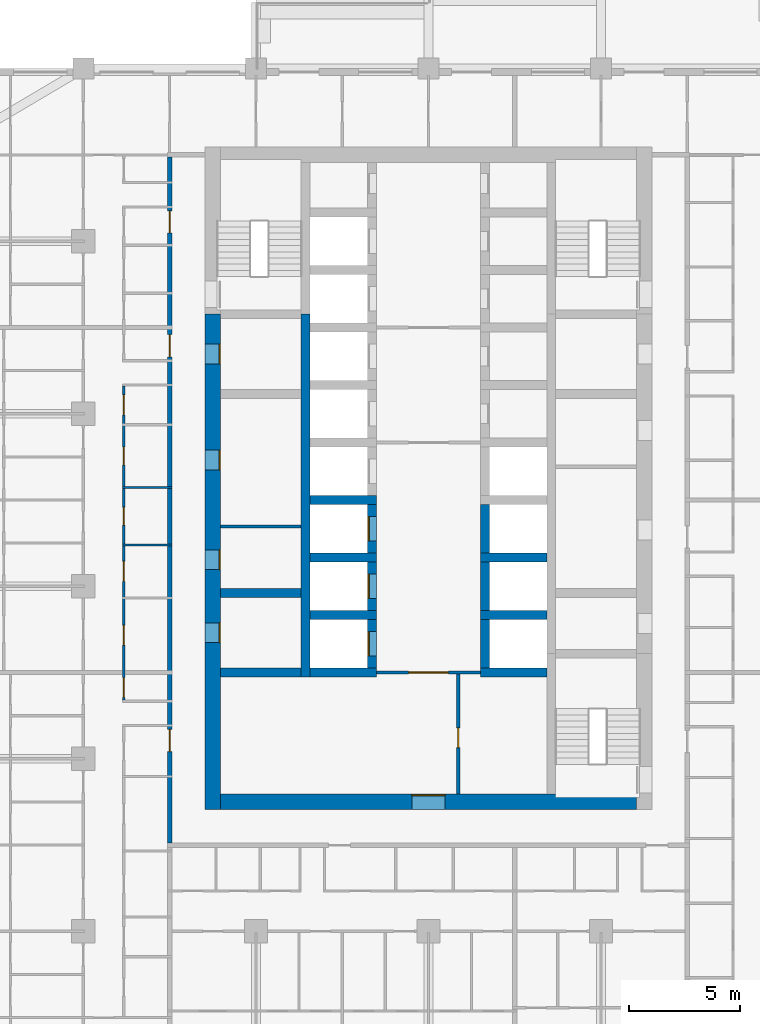
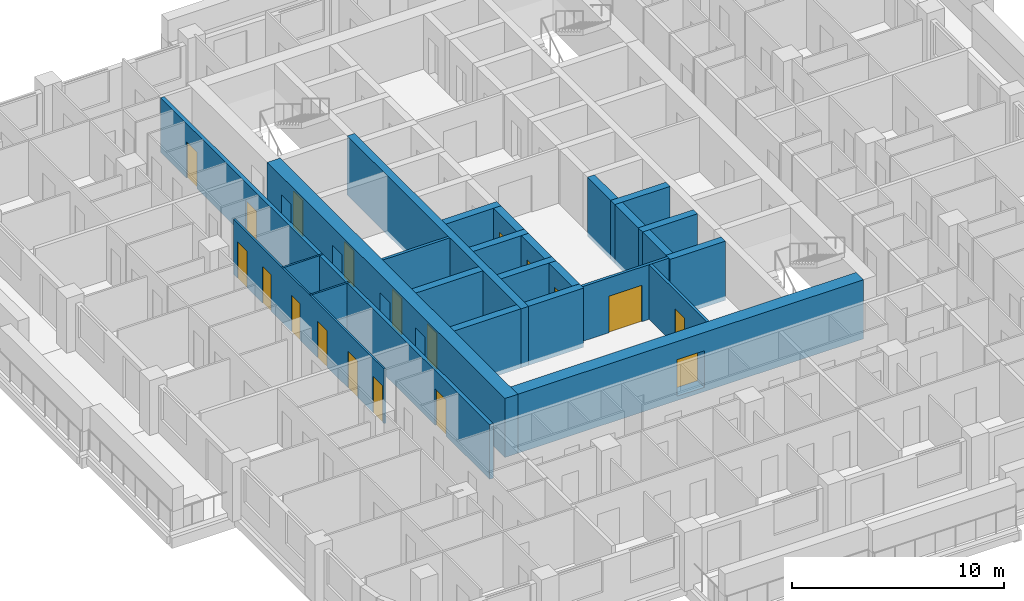
# One storey, part 6 of 17: 25 walls, 19 doors, 19 openings.
"""IFC4 building model written with IfcOpenShell, lengths in metres."""

from ifc_helpers import new_model, si_unit, direction, frame, frame_2d, origin, place, context, subcontext, project, spatial, rectangle, extrude, material, layer, layer_set, type_object, element, fill, save


model = new_model("IFC4")

# Units and contexts
model_context = context("Model", 3, precision=1e-05, world=origin(), true_north=direction((0.0, 1.0)))
body_context = subcontext(model_context, "Body", "Model", "MODEL_VIEW")
ifc_project = project(units=[si_unit("LENGTHUNIT", "METRE"), si_unit("AREAUNIT", "SQUARE_METRE"), si_unit("VOLUMEUNIT", "CUBIC_METRE"), si_unit("PLANEANGLEUNIT", "RADIAN"), si_unit("MASSUNIT", "GRAM", prefix="KILO")], contexts=[model_context])

# Site, building, storey
site_placement = place(None, origin())
site = spatial("IfcSite", under=ifc_project, at=site_placement, CompositionType="ELEMENT")
building_placement = place(site_placement, origin())
building = spatial("IfcBuilding", under=site, at=building_placement, Name="Ludao Terraces", CompositionType="ELEMENT")
storey_placement = place(building_placement, frame((0.0, 0.0, 88.60009765625)))
storey = spatial("IfcBuildingStorey", under=building, at=storey_placement, Name="L24", CompositionType="ELEMENT", Elevation=88.60009765625)

# Wall, openings, doors
ifc_material_1 = material(Name="Concrete C70", Category="concrete")
ifc_layer_1 = layer(ifc_material_1, 0.699951171875)
ifc_layer_set_1 = layer_set([ifc_layer_1], Name="Core wall 700 C70")
wall_type_1 = type_object("IfcWallType", Name="Core wall 700 C70", PredefinedType="SOLIDWALL", material=ifc_layer_set_1)
wall_1_placement = place(storey_placement, frame((75.25, 54.89990234375, -0.25), z_axis=(0.0, 0.0, 1.0), x_axis=(0.0, 1.0, 0.0)))
wall_1 = element("IfcWall", 1, at=wall_1_placement, inside=storey, type_object=wall_type_1, Name="Core wall L24 outer-W", PredefinedType="SOLIDWALL", context=body_context, shape_type="SweptSolid", body=[
    extrude(rectangle(XDim=22.400146484375, YDim=0.699951171875, at=frame_2d((11.2001953125, 0.0))), origin(), (0.0, 0.0, 1.0), 3.39990234375),
])
opening_1_placement = place(wall_1_placement, frame((7.550048828125, 0.0, 0.25)))
opening_1 = element("IfcOpeningElement", 2, at=opening_1_placement, cuts=wall_1, Name="Opening R07-077", PredefinedType="OPENING", context=body_context, shape_type="SweptSolid", body=[
    extrude(rectangle(XDim=0.89990234375, YDim=2.10009765625, at=frame_2d((0.449951171875, 1.050048828125))), frame((0.0, 0.35986328125, 0.0), z_axis=(0.0, -1.0, 0.0), x_axis=(1.0, 0.0, 0.0)), (0.0, 0.0, 1.0), 0.719970703125),
])
opening_2_placement = place(wall_1_placement, frame((10.85009765625, 0.0, 0.25)))
opening_2 = element("IfcOpeningElement", 3, at=opening_2_placement, cuts=wall_1, Name="Opening R07-087", PredefinedType="OPENING", context=body_context, shape_type="SweptSolid", body=[
    extrude(rectangle(XDim=0.89990234375, YDim=2.10009765625, at=frame_2d((0.449951171875, 1.050048828125))), frame((0.0, 0.35986328125, 0.0), z_axis=(0.0, -1.0, 0.0), x_axis=(1.0, 0.0, 0.0)), (0.0, 0.0, 1.0), 0.719970703125),
])
opening_3_placement = place(wall_1_placement, frame((15.35009765625, 0.0, 0.25)))
opening_3 = element("IfcOpeningElement", 4, at=opening_3_placement, cuts=wall_1, Name="Opening R07-101", PredefinedType="OPENING", context=body_context, shape_type="SweptSolid", body=[
    extrude(rectangle(XDim=0.89990234375, YDim=2.10009765625, at=frame_2d((0.449951171875, 1.050048828125))), frame((0.0, 0.35986328125, 0.0), z_axis=(0.0, -1.0, 0.0), x_axis=(1.0, 0.0, 0.0)), (0.0, 0.0, 1.0), 0.719970703125),
])
opening_4_placement = place(wall_1_placement, frame((20.14990234375, 0.0, 0.25)))
opening_4 = element("IfcOpeningElement", 5, at=opening_4_placement, cuts=wall_1, Name="Opening R07-119", PredefinedType="OPENING", context=body_context, shape_type="SweptSolid", body=[
    extrude(rectangle(XDim=0.89990234375, YDim=2.10009765625, at=frame_2d((0.449951171875, 1.050048828125))), frame((0.0, 0.35986328125, 0.0), z_axis=(0.0, -1.0, 0.0), x_axis=(1.0, 0.0, 0.0)), (0.0, 0.0, 1.0), 0.719970703125),
])
ifc_material_2 = material(Name="Steel Q235", Category="steel")
door_type_1 = type_object("IfcDoorType", Name="INT Riser door 900", OperationType="SINGLE_SWING_LEFT", PredefinedType="DOOR", material=ifc_material_2)
door_1_placement = place(opening_1_placement, origin())
door_1 = element("IfcDoor", 6, at=door_1_placement, inside=storey, type_object=door_type_1, Name="DOOR 077", OperationType="SINGLE_SWING_RIGHT", OverallHeight=2.10009765625, OverallWidth=0.89990234375, PredefinedType="DOOR", context=body_context, shape_type="SweptSolid", body=[
    extrude(rectangle(XDim=0.89990234375, YDim=2.10009765625, at=frame_2d((0.449951171875, 1.050048828125))), frame((0.0, -0.28515625, 0.0), z_axis=(0.0, -1.0, 0.0), x_axis=(1.0, 0.0, 0.0)), (0.0, 0.0, 1.0), 0.050048828125),
])
fill(opening_1, door_1)
door_2_placement = place(opening_4_placement, origin())
door_2 = element("IfcDoor", 7, at=door_2_placement, inside=storey, type_object=door_type_1, Name="DOOR 119", OperationType="SINGLE_SWING_RIGHT", OverallHeight=2.10009765625, OverallWidth=0.89990234375, PredefinedType="DOOR", context=body_context, shape_type="SweptSolid", body=[
    extrude(rectangle(XDim=0.89990234375, YDim=2.10009765625, at=frame_2d((0.449951171875, 1.050048828125))), frame((0.0, -0.28515625, 0.0), z_axis=(0.0, -1.0, 0.0), x_axis=(1.0, 0.0, 0.0)), (0.0, 0.0, 1.0), 0.050048828125),
])
fill(opening_4, door_2)
ifc_material_3 = material(Name="Timber door leaf", Category="wood")
door_type_2 = type_object("IfcDoorType", Name="INT Room door 900", OperationType="SINGLE_SWING_LEFT", PredefinedType="DOOR", material=ifc_material_3)
door_3_placement = place(opening_2_placement, origin())
door_3 = element("IfcDoor", 8, at=door_3_placement, inside=storey, type_object=door_type_2, Name="DOOR 087", OperationType="SINGLE_SWING_RIGHT", OverallHeight=2.10009765625, OverallWidth=0.89990234375, PredefinedType="DOOR", context=body_context, shape_type="SweptSolid", body=[
    extrude(rectangle(XDim=0.89990234375, YDim=2.10009765625, at=frame_2d((0.449951171875, 1.050048828125))), frame((0.0, -0.28515625, 0.0), z_axis=(0.0, -1.0, 0.0), x_axis=(1.0, 0.0, 0.0)), (0.0, 0.0, 1.0), 0.050048828125),
])
fill(opening_2, door_3)
door_4_placement = place(opening_3_placement, origin())
door_4 = element("IfcDoor", 9, at=door_4_placement, inside=storey, type_object=door_type_2, Name="DOOR 101", OperationType="SINGLE_SWING_LEFT", OverallHeight=2.10009765625, OverallWidth=0.89990234375, PredefinedType="DOOR", context=body_context, shape_type="SweptSolid", body=[
    extrude(rectangle(XDim=0.89990234375, YDim=2.10009765625, at=frame_2d((0.449951171875, 1.050048828125))), frame((0.0, -0.28515625, 0.0), z_axis=(0.0, -1.0, 0.0), x_axis=(1.0, 0.0, 0.0)), (0.0, 0.0, 1.0), 0.050048828125),
])
fill(opening_3, door_4)

# Wall, opening, door
wall_2_placement = place(storey_placement, frame((75.60009765625, 55.25, -0.25), z_axis=(0.0, 0.0, 1.0), x_axis=(1.0, 0.0, 0.0)))
wall_2 = element("IfcWall", 10, at=wall_2_placement, inside=storey, type_object=wall_type_1, Name="Core wall L24 outer-S", PredefinedType="SOLIDWALL", context=body_context, shape_type="SweptSolid", body=[
    extrude(rectangle(XDim=18.7998046875, YDim=0.699951171875, at=frame_2d((9.39990234375, 0.0))), origin(), (0.0, 0.0, 1.0), 3.39990234375),
])
opening_5_placement = place(wall_2_placement, frame((8.64990234375, 0.0, 0.25)))
opening_5 = element("IfcOpeningElement", 11, at=opening_5_placement, cuts=wall_2, Name="Opening R07-053", PredefinedType="OPENING", context=body_context, shape_type="SweptSolid", body=[
    extrude(rectangle(XDim=1.5, YDim=2.10009765625, at=frame_2d((0.75, 1.050048828125))), frame((0.0, 0.35986328125, 0.0), z_axis=(0.0, -1.0, 0.0), x_axis=(1.0, 0.0, 0.0)), (0.0, 0.0, 1.0), 0.719970703125),
])
door_type_3 = type_object("IfcDoorType", Name="INT Lobby door 1500", OperationType="DOUBLE_DOOR_SINGLE_SWING", PredefinedType="DOOR", material=ifc_material_2)
door_5_placement = place(opening_5_placement, origin())
door_5 = element("IfcDoor", 12, at=door_5_placement, inside=storey, type_object=door_type_3, Name="DOOR 053", OperationType="DOUBLE_DOOR_SINGLE_SWING", OverallHeight=2.10009765625, OverallWidth=1.5, PredefinedType="DOOR", context=body_context, shape_type="SweptSolid", body=[
    extrude(rectangle(XDim=1.5, YDim=2.10009765625, at=frame_2d((0.75, 1.050048828125))), frame((0.0, 0.3349609375, 0.0), z_axis=(0.0, -1.0, 0.0), x_axis=(1.0, 0.0, 0.0)), (0.0, 0.0, 1.0), 0.050048828125),
])
fill(opening_5, door_5)

ifc_material_4 = material(Name="Fire-rated gypsum plasterboard", Category="gypsum")
ifc_layer_2 = layer(ifc_material_4, 0.012451171875, Category="gypsum")
ifc_material_5 = material(Name="Mineral wool")
ifc_layer_3 = layer(ifc_material_5, 0.10009765625, Name="insulation")
ifc_layer_4 = layer(ifc_material_2, 0.02490234375, Name="stud")
ifc_layer_5 = layer(ifc_material_4, 0.012451171875, Category="gypsum")
ifc_layer_set_2 = layer_set([ifc_layer_2, ifc_layer_3, ifc_layer_4, ifc_layer_5], Name="INT Core partition 150")
wall_type_2 = type_object("IfcWallType", Name="INT Core partition 150", PredefinedType="PARTITIONING", material=ifc_layer_set_2)
wall_3_placement = place(storey_placement, frame((82.650146484375, 61.10009765625, 0.0), z_axis=(0.0, 0.0, 1.0), x_axis=(1.0, 0.0, 0.0)))
wall_3 = element("IfcWall", 13, at=wall_3_placement, inside=storey, type_object=wall_type_2, Name="PW-L24-PW033", PredefinedType="PARTITIONING", context=body_context, shape_type="SweptSolid", body=[
    extrude(rectangle(XDim=4.699951171875, YDim=0.14990234375, at=frame_2d((2.35009765625, 0.0))), origin(), (0.0, 0.0, 1.0), 3.14990234375),
])
opening_6_placement = place(wall_3_placement, frame((1.449951171875, 0.0, 0.0)))
opening_6 = element("IfcOpeningElement", 14, at=opening_6_placement, cuts=wall_3, Name="Opening R07-072", PredefinedType="OPENING", context=body_context, shape_type="SweptSolid", body=[
    extrude(rectangle(XDim=1.800048828125, YDim=2.10009765625, at=frame_2d((0.89990234375, 1.050048828125))), frame((0.0, 0.0849609375, 0.0), z_axis=(0.0, -1.0, 0.0), x_axis=(1.0, 0.0, 0.0)), (0.0, 0.0, 1.0), 0.169921875),
])
door_type_4 = type_object("IfcDoorType", Name="INT Fire lobby door 1800", OperationType="DOUBLE_DOOR_SINGLE_SWING", PredefinedType="DOOR", material=ifc_material_2)
door_6_placement = place(opening_6_placement, origin())
door_6 = element("IfcDoor", 15, at=door_6_placement, inside=storey, type_object=door_type_4, Name="DOOR 072", OperationType="DOUBLE_DOOR_SINGLE_SWING", OverallHeight=2.10009765625, OverallWidth=1.800048828125, PredefinedType="DOOR", context=body_context, shape_type="SweptSolid", body=[
    extrude(rectangle(XDim=1.800048828125, YDim=2.10009765625, at=frame_2d((0.89990234375, 1.050048828125))), frame((0.0, 0.02490234375, 0.0), z_axis=(0.0, -1.0, 0.0), x_axis=(1.0, 0.0, 0.0)), (0.0, 0.0, 1.0), 0.050048828125),
])
fill(opening_6, door_6)

# Wall
wall_4_placement = place(storey_placement, frame((75.60009765625, 67.699951171875, 0.0), z_axis=(0.0, 0.0, 1.0), x_axis=(1.0, 0.0, 0.0)))
element("IfcWall", 16, at=wall_4_placement, inside=storey, type_object=wall_type_2, Name="PW-L24-PW044", PredefinedType="PARTITIONING", context=body_context, shape_type="SweptSolid", body=[
    extrude(rectangle(XDim=3.64990234375, YDim=0.14990234375, at=frame_2d((1.824951171875, 0.0))), origin(), (0.0, 0.0, 1.0), 3.14990234375),
])

# Wall, opening, door
wall_5_placement = place(storey_placement, frame((86.35009765625, 55.60009765625, 0.0), z_axis=(0.0, 0.0, 1.0), x_axis=(0.0, 1.0, 0.0)))
wall_5 = element("IfcWall", 17, at=wall_5_placement, inside=storey, type_object=wall_type_2, Name="PW-L24-PW104", PredefinedType="PARTITIONING", context=body_context, shape_type="SweptSolid", body=[
    extrude(rectangle(XDim=5.425048828125, YDim=0.14990234375, at=frame_2d((2.71240234375, 0.0))), origin(), (0.0, 0.0, 1.0), 3.14990234375),
])
opening_7_placement = place(wall_5_placement, frame((2.10009765625, 0.0, 0.0)))
opening_7 = element("IfcOpeningElement", 18, at=opening_7_placement, cuts=wall_5, Name="Opening R07-063", PredefinedType="OPENING", context=body_context, shape_type="SweptSolid", body=[
    extrude(rectangle(XDim=0.89990234375, YDim=2.10009765625, at=frame_2d((0.449951171875, 1.050048828125))), frame((0.0, 0.0849609375, 0.0), z_axis=(0.0, -1.0, 0.0), x_axis=(1.0, 0.0, 0.0)), (0.0, 0.0, 1.0), 0.169921875),
])
door_7_placement = place(opening_7_placement, origin())
door_7 = element("IfcDoor", 19, at=door_7_placement, inside=storey, type_object=door_type_2, Name="DOOR 063", OperationType="SINGLE_SWING_RIGHT", OverallHeight=2.10009765625, OverallWidth=0.89990234375, PredefinedType="DOOR", context=body_context, shape_type="SweptSolid", body=[
    extrude(rectangle(XDim=0.89990234375, YDim=2.10009765625, at=frame_2d((0.449951171875, 1.050048828125))), frame((0.0, 0.02490234375, 0.0), z_axis=(0.0, -1.0, 0.0), x_axis=(1.0, 0.0, 0.0)), (0.0, 0.0, 1.0), 0.050048828125),
])
fill(opening_7, door_7)

# Wall, openings, doors
ifc_material_6 = material(Name="Autoclaved aerated concrete block B06 A3.5", Category="concrete")
ifc_layer_6 = layer(ifc_material_6, 0.199951171875)
ifc_layer_set_3 = layer_set([ifc_layer_6], Name="INT Entrance wall 200")
wall_type_3 = type_object("IfcWallType", Name="INT Entrance wall 200", PredefinedType="PARTITIONING", material=ifc_layer_set_3)
wall_6_placement = place(storey_placement, frame((73.300048828125, 53.400146484375, 0.0), z_axis=(0.0, 0.0, 1.0), x_axis=(0.0, 1.0, 0.0)))
wall_6 = element("IfcWall", 20, at=wall_6_placement, inside=storey, type_object=wall_type_3, Name="PW-L24-PW088", PredefinedType="PARTITIONING", context=body_context, shape_type="SweptSolid", body=[
    extrude(rectangle(XDim=31.0, YDim=0.199951171875, at=frame_2d((15.5, 0.0))), origin(), (0.0, 0.0, 1.0), 3.14990234375),
])
opening_8_placement = place(wall_6_placement, frame((4.125, 0.0, 0.0)))
opening_8 = element("IfcOpeningElement", 21, at=opening_8_placement, cuts=wall_6, Name="Opening R07-062", PredefinedType="OPENING", context=body_context, shape_type="SweptSolid", body=[
    extrude(rectangle(XDim=1.0, YDim=2.10009765625, at=frame_2d((0.5, 1.050048828125))), frame((0.0, 0.10986328125, 0.0), z_axis=(0.0, -1.0, 0.0), x_axis=(1.0, 0.0, 0.0)), (0.0, 0.0, 1.0), 0.219970703125),
])
opening_9_placement = place(wall_6_placement, frame((21.97509765625, 0.0, 0.0)))
opening_9 = element("IfcOpeningElement", 22, at=opening_9_placement, cuts=wall_6, Name="Opening R07-124", PredefinedType="OPENING", context=body_context, shape_type="SweptSolid", body=[
    extrude(rectangle(XDim=1.0, YDim=2.10009765625, at=frame_2d((0.5, 1.050048828125))), frame((0.0, 0.10986328125, 0.0), z_axis=(0.0, -1.0, 0.0), x_axis=(1.0, 0.0, 0.0)), (0.0, 0.0, 1.0), 0.219970703125),
])
opening_10_placement = place(wall_6_placement, frame((27.574951171875, 0.0, 0.0)))
opening_10 = element("IfcOpeningElement", 23, at=opening_10_placement, cuts=wall_6, Name="Opening R07-143", PredefinedType="OPENING", context=body_context, shape_type="SweptSolid", body=[
    extrude(rectangle(XDim=1.0, YDim=2.10009765625, at=frame_2d((0.5, 1.050048828125))), frame((0.0, 0.10986328125, 0.0), z_axis=(0.0, -1.0, 0.0), x_axis=(1.0, 0.0, 0.0)), (0.0, 0.0, 1.0), 0.219970703125),
])
door_type_5 = type_object("IfcDoorType", Name="INT Flat entrance door 1000", OperationType="SINGLE_SWING_LEFT", PredefinedType="DOOR", material=ifc_material_2)
door_8_placement = place(opening_8_placement, origin())
door_8 = element("IfcDoor", 24, at=door_8_placement, inside=storey, type_object=door_type_5, Name="DOOR 062", OperationType="SINGLE_SWING_LEFT", OverallHeight=2.10009765625, OverallWidth=1.0, PredefinedType="DOOR", context=body_context, shape_type="SweptSolid", body=[
    extrude(rectangle(XDim=1.0, YDim=2.10009765625, at=frame_2d((0.5, 1.050048828125))), frame((0.0, 0.02490234375, 0.0), z_axis=(0.0, -1.0, 0.0), x_axis=(1.0, 0.0, 0.0)), (0.0, 0.0, 1.0), 0.050048828125),
])
fill(opening_8, door_8)
door_9_placement = place(opening_9_placement, origin())
door_9 = element("IfcDoor", 25, at=door_9_placement, inside=storey, type_object=door_type_5, Name="DOOR 124", OperationType="SINGLE_SWING_RIGHT", OverallHeight=2.10009765625, OverallWidth=1.0, PredefinedType="DOOR", context=body_context, shape_type="SweptSolid", body=[
    extrude(rectangle(XDim=1.0, YDim=2.10009765625, at=frame_2d((0.5, 1.050048828125))), frame((0.0, 0.02490234375, 0.0), z_axis=(0.0, -1.0, 0.0), x_axis=(1.0, 0.0, 0.0)), (0.0, 0.0, 1.0), 0.050048828125),
])
fill(opening_9, door_9)
door_10_placement = place(opening_10_placement, origin())
door_10 = element("IfcDoor", 26, at=door_10_placement, inside=storey, type_object=door_type_5, Name="DOOR 143", OperationType="SINGLE_SWING_LEFT", OverallHeight=2.10009765625, OverallWidth=1.0, PredefinedType="DOOR", context=body_context, shape_type="SweptSolid", body=[
    extrude(rectangle(XDim=1.0, YDim=2.10009765625, at=frame_2d((0.5, 1.050048828125))), frame((0.0, 0.02490234375, 0.0), z_axis=(0.0, -1.0, 0.0), x_axis=(1.0, 0.0, 0.0)), (0.0, 0.0, 1.0), 0.050048828125),
])
fill(opening_10, door_10)

# Walls
ifc_material_7 = material(Name="Gypsum plasterboard", Category="gypsum")
ifc_layer_7 = layer(ifc_material_7, 0.012451171875, Category="gypsum")
ifc_layer_8 = layer(ifc_material_5, 0.06005859375, Name="insulation")
ifc_layer_9 = layer(ifc_material_2, 0.014892578125, Name="stud")
ifc_layer_10 = layer(ifc_material_7, 0.012451171875, Category="gypsum")
ifc_layer_set_4 = layer_set([ifc_layer_7, ifc_layer_8, ifc_layer_9, ifc_layer_10], Name="INT Partition 100")
wall_type_4 = type_object("IfcWallType", Name="INT Partition 100", PredefinedType="PARTITIONING", material=ifc_layer_set_4)
for number, where, z_axis, x_axis, name in (
    (27, (71.18017578125, 66.8701171875, 0.0), (0.0, 0.0, 1.0), (1.0, 0.0, 0.0), "PW-L24-PW042"),
    (28, (71.18017578125, 69.469970703125, 0.0), (0.0, 0.0, 1.0), (1.0, 0.0, 0.0), "PW-L24-PW047"),
):
    element("IfcWall", number, at=place(storey_placement, frame(where, z_axis=z_axis, x_axis=x_axis)), inside=storey, type_object=wall_type_4, Name=name, PredefinedType="PARTITIONING", context=body_context, shape_type="SweptSolid", body=[
        extrude(rectangle(XDim=2.219970703125, YDim=0.10009765625, at=frame_2d((1.10986328125, 0.0))), origin(), (0.0, 0.0, 1.0), 3.14990234375),
    ])

# Wall, openings, doors
wall_7_placement = place(storey_placement, frame((71.22998046875, 59.85009765625, 0.0), z_axis=(0.0, 0.0, 1.0), x_axis=(0.0, 1.0, 0.0)))
wall_7 = element("IfcWall", 29, at=wall_7_placement, inside=storey, type_object=wall_type_4, Name="PW-L24-PW084", PredefinedType="PARTITIONING", context=body_context, shape_type="SweptSolid", body=[
    extrude(rectangle(XDim=14.199951171875, YDim=0.10009765625, at=frame_2d((7.10009765625, 0.0))), origin(), (0.0, 0.0, 1.0), 3.14990234375),
])
opening_11_placement = place(wall_7_placement, frame((0.125, 0.0, 0.0)))
opening_11 = element("IfcOpeningElement", 30, at=opening_11_placement, cuts=wall_7, Name="Opening R07-070", PredefinedType="OPENING", context=body_context, shape_type="SweptSolid", body=[
    extrude(rectangle(XDim=0.89990234375, YDim=2.10009765625, at=frame_2d((0.449951171875, 1.050048828125))), frame((0.0, 0.06005859375, 0.0), z_axis=(0.0, -1.0, 0.0), x_axis=(1.0, 0.0, 0.0)), (0.0, 0.0, 1.0), 0.1201171875),
])
opening_12_placement = place(wall_7_placement, frame((2.485107421875, 0.0, 0.0)))
opening_12 = element("IfcOpeningElement", 31, at=opening_12_placement, cuts=wall_7, Name="Opening R07-076", PredefinedType="OPENING", context=body_context, shape_type="SweptSolid", body=[
    extrude(rectangle(XDim=0.89990234375, YDim=2.10009765625, at=frame_2d((0.449951171875, 1.050048828125))), frame((0.0, 0.06005859375, 0.0), z_axis=(0.0, -1.0, 0.0), x_axis=(1.0, 0.0, 0.0)), (0.0, 0.0, 1.0), 0.1201171875),
])
opening_13_placement = place(wall_7_placement, frame((5.3701171875, 0.0, 0.0)))
opening_13 = element("IfcOpeningElement", 32, at=opening_13_placement, cuts=wall_7, Name="Opening R07-085", PredefinedType="OPENING", context=body_context, shape_type="SweptSolid", body=[
    extrude(rectangle(XDim=0.89990234375, YDim=2.10009765625, at=frame_2d((0.449951171875, 1.050048828125))), frame((0.0, 0.06005859375, 0.0), z_axis=(0.0, -1.0, 0.0), x_axis=(1.0, 0.0, 0.0)), (0.0, 0.0, 1.0), 0.1201171875),
])
opening_14_placement = place(wall_7_placement, frame((7.919921875, 0.0, 0.0)))
opening_14 = element("IfcOpeningElement", 33, at=opening_14_placement, cuts=wall_7, Name="Opening R07-096", PredefinedType="OPENING", context=body_context, shape_type="SweptSolid", body=[
    extrude(rectangle(XDim=0.800048828125, YDim=2.10009765625, at=frame_2d((0.39990234375, 1.050048828125))), frame((0.0, 0.06005859375, 0.0), z_axis=(0.0, -1.0, 0.0), x_axis=(1.0, 0.0, 0.0)), (0.0, 0.0, 1.0), 0.1201171875),
])
opening_15_placement = place(wall_7_placement, frame((10.635009765625, 0.0, 0.0)))
opening_15 = element("IfcOpeningElement", 34, at=opening_15_placement, cuts=wall_7, Name="Opening R07-102", PredefinedType="OPENING", context=body_context, shape_type="SweptSolid", body=[
    extrude(rectangle(XDim=0.800048828125, YDim=2.10009765625, at=frame_2d((0.39990234375, 1.050048828125))), frame((0.0, 0.06005859375, 0.0), z_axis=(0.0, -1.0, 0.0), x_axis=(1.0, 0.0, 0.0)), (0.0, 0.0, 1.0), 0.1201171875),
])
opening_16_placement = place(wall_7_placement, frame((12.89990234375, 0.0, 0.0)))
opening_16 = element("IfcOpeningElement", 35, at=opening_16_placement, cuts=wall_7, Name="Opening R07-112", PredefinedType="OPENING", context=body_context, shape_type="SweptSolid", body=[
    extrude(rectangle(XDim=0.89990234375, YDim=2.10009765625, at=frame_2d((0.449951171875, 1.050048828125))), frame((0.0, 0.06005859375, 0.0), z_axis=(0.0, -1.0, 0.0), x_axis=(1.0, 0.0, 0.0)), (0.0, 0.0, 1.0), 0.1201171875),
])
door_type_6 = type_object("IfcDoorType", Name="INT Bathroom door 900", OperationType="SINGLE_SWING_LEFT", PredefinedType="DOOR", material=ifc_material_3)
door_11_placement = place(opening_11_placement, origin())
door_11 = element("IfcDoor", 36, at=door_11_placement, inside=storey, type_object=door_type_6, Name="DOOR 070", OperationType="SINGLE_SWING_LEFT", OverallHeight=2.10009765625, OverallWidth=0.89990234375, PredefinedType="DOOR", context=body_context, shape_type="SweptSolid", body=[
    extrude(rectangle(XDim=0.89990234375, YDim=2.10009765625, at=frame_2d((0.449951171875, 1.050048828125))), frame((0.0, 0.02490234375, 0.0), z_axis=(0.0, -1.0, 0.0), x_axis=(1.0, 0.0, 0.0)), (0.0, 0.0, 1.0), 0.050048828125),
])
fill(opening_11, door_11)
door_12_placement = place(opening_13_placement, origin())
door_12 = element("IfcDoor", 37, at=door_12_placement, inside=storey, type_object=door_type_6, Name="DOOR 085", OperationType="SINGLE_SWING_RIGHT", OverallHeight=2.10009765625, OverallWidth=0.89990234375, PredefinedType="DOOR", context=body_context, shape_type="SweptSolid", body=[
    extrude(rectangle(XDim=0.89990234375, YDim=2.10009765625, at=frame_2d((0.449951171875, 1.050048828125))), frame((0.0, 0.02490234375, 0.0), z_axis=(0.0, -1.0, 0.0), x_axis=(1.0, 0.0, 0.0)), (0.0, 0.0, 1.0), 0.050048828125),
])
fill(opening_13, door_12)
door_13_placement = place(opening_16_placement, origin())
door_13 = element("IfcDoor", 38, at=door_13_placement, inside=storey, type_object=door_type_6, Name="DOOR 112", OperationType="SINGLE_SWING_RIGHT", OverallHeight=2.10009765625, OverallWidth=0.89990234375, PredefinedType="DOOR", context=body_context, shape_type="SweptSolid", body=[
    extrude(rectangle(XDim=0.89990234375, YDim=2.10009765625, at=frame_2d((0.449951171875, 1.050048828125))), frame((0.0, 0.02490234375, 0.0), z_axis=(0.0, -1.0, 0.0), x_axis=(1.0, 0.0, 0.0)), (0.0, 0.0, 1.0), 0.050048828125),
])
fill(opening_16, door_13)
door_14_placement = place(opening_12_placement, origin())
door_14 = element("IfcDoor", 39, at=door_14_placement, inside=storey, type_object=door_type_2, Name="DOOR 076", OperationType="SINGLE_SWING_RIGHT", OverallHeight=2.10009765625, OverallWidth=0.89990234375, PredefinedType="DOOR", context=body_context, shape_type="SweptSolid", body=[
    extrude(rectangle(XDim=0.89990234375, YDim=2.10009765625, at=frame_2d((0.449951171875, 1.050048828125))), frame((0.0, 0.02490234375, 0.0), z_axis=(0.0, -1.0, 0.0), x_axis=(1.0, 0.0, 0.0)), (0.0, 0.0, 1.0), 0.050048828125),
])
fill(opening_12, door_14)
door_type_7 = type_object("IfcDoorType", Name="INT Store door 800", OperationType="SINGLE_SWING_LEFT", PredefinedType="DOOR", material=ifc_material_3)
door_15_placement = place(opening_14_placement, origin())
door_15 = element("IfcDoor", 40, at=door_15_placement, inside=storey, type_object=door_type_7, Name="DOOR 096", OperationType="SINGLE_SWING_RIGHT", OverallHeight=2.10009765625, OverallWidth=0.800048828125, PredefinedType="DOOR", context=body_context, shape_type="SweptSolid", body=[
    extrude(rectangle(XDim=0.800048828125, YDim=2.10009765625, at=frame_2d((0.39990234375, 1.050048828125))), frame((0.0, 0.02490234375, 0.0), z_axis=(0.0, -1.0, 0.0), x_axis=(1.0, 0.0, 0.0)), (0.0, 0.0, 1.0), 0.050048828125),
])
fill(opening_14, door_15)
door_16_placement = place(opening_15_placement, origin())
door_16 = element("IfcDoor", 41, at=door_16_placement, inside=storey, type_object=door_type_7, Name="DOOR 102", OperationType="SINGLE_SWING_RIGHT", OverallHeight=2.10009765625, OverallWidth=0.800048828125, PredefinedType="DOOR", context=body_context, shape_type="SweptSolid", body=[
    extrude(rectangle(XDim=0.800048828125, YDim=2.10009765625, at=frame_2d((0.39990234375, 1.050048828125))), frame((0.0, 0.02490234375, 0.0), z_axis=(0.0, -1.0, 0.0), x_axis=(1.0, 0.0, 0.0)), (0.0, 0.0, 1.0), 0.050048828125),
])
fill(opening_15, door_16)

# Walls
ifc_material_8 = material(Name="Concrete C60", Category="concrete")
ifc_layer_11 = layer(ifc_material_8, 0.39990234375)
ifc_layer_set_5 = layer_set([ifc_layer_11], Name="Shaft wall 400 C60")
wall_type_5 = type_object("IfcWallType", Name="Shaft wall 400 C60", PredefinedType="SOLIDWALL", material=ifc_layer_set_5)
wall_8_placement = place(storey_placement, frame((79.449951171875, 60.89990234375, -0.25), z_axis=(0.0, 0.0, 1.0), x_axis=(0.0, 1.0, 0.0)))
element("IfcWall", 42, at=wall_8_placement, inside=storey, type_object=wall_type_5, Name="Core wall L24 back-W", PredefinedType="SOLIDWALL", context=body_context, shape_type="SweptSolid", body=[
    extrude(rectangle(XDim=16.400146484375, YDim=0.39990234375, at=frame_2d((8.2001953125, 0.0))), origin(), (0.0, 0.0, 1.0), 3.39990234375),
])
wall_9_placement = place(storey_placement, frame((79.64990234375, 61.10009765625, -0.25), z_axis=(0.0, 0.0, 1.0), x_axis=(1.0, 0.0, 0.0)))
element("IfcWall", 43, at=wall_9_placement, inside=storey, type_object=wall_type_5, Name="Core wall L24 div-W1", PredefinedType="SOLIDWALL", context=body_context, shape_type="SweptSolid", body=[
    extrude(rectangle(XDim=3.0, YDim=0.39990234375, at=frame_2d((1.5, 0.0))), origin(), (0.0, 0.0, 1.0), 3.39990234375),
])

# Wall, opening, door
wall_10_placement = place(storey_placement, frame((82.449951171875, 61.300048828125, -0.25), z_axis=(0.0, 0.0, 1.0), x_axis=(0.0, 1.0, 0.0)))
wall_10 = element("IfcWall", 44, at=wall_10_placement, inside=storey, type_object=wall_type_5, Name="Core wall L24 front-W1", PredefinedType="SOLIDWALL", context=body_context, shape_type="SweptSolid", body=[
    extrude(rectangle(XDim=2.199951171875, YDim=0.39990234375, at=frame_2d((1.10009765625, 0.0))), origin(), (0.0, 0.0, 1.0), 3.39990234375),
])
opening_17_placement = place(wall_10_placement, frame((0.550048828125, 0.0, 0.25)))
opening_17 = element("IfcOpeningElement", 45, at=opening_17_placement, cuts=wall_10, Name="Opening LD-LA1", PredefinedType="OPENING", context=body_context, shape_type="SweptSolid", body=[
    extrude(rectangle(XDim=1.10009765625, YDim=2.10009765625, at=frame_2d((0.550048828125, 1.050048828125))), frame((0.0, 0.2099609375, 0.0), z_axis=(0.0, -1.0, 0.0), x_axis=(1.0, 0.0, 0.0)), (0.0, 0.0, 1.0), 0.419921875),
])
ifc_material_9 = material(Name="Stainless steel 304", Category="steel")
door_type_8 = type_object("IfcDoorType", Name="INT Lift landing door 1100", OperationType="SLIDING_TO_LEFT", PredefinedType="DOOR", material=ifc_material_9)
door_17_placement = place(opening_17_placement, origin())
door_17 = element("IfcDoor", 46, at=door_17_placement, inside=storey, type_object=door_type_8, Name="LANDING DOOR LA1 L24", OperationType="SLIDING_TO_RIGHT", OverallHeight=2.10009765625, OverallWidth=1.10009765625, PredefinedType="DOOR", context=body_context, shape_type="SweptSolid", body=[
    extrude(rectangle(XDim=1.10009765625, YDim=2.10009765625, at=frame_2d((0.550048828125, 1.050048828125))), frame((0.0, 0.18505859375, 0.0), z_axis=(0.0, -1.0, 0.0), x_axis=(1.0, 0.0, 0.0)), (0.0, 0.0, 1.0), 0.050048828125),
])
fill(opening_17, door_17)

# Wall
wall_11_placement = place(storey_placement, frame((79.64990234375, 63.699951171875, -0.25), z_axis=(0.0, 0.0, 1.0), x_axis=(1.0, 0.0, 0.0)))
element("IfcWall", 47, at=wall_11_placement, inside=storey, type_object=wall_type_5, Name="Core wall L24 div-W2", PredefinedType="SOLIDWALL", context=body_context, shape_type="SweptSolid", body=[
    extrude(rectangle(XDim=3.0, YDim=0.39990234375, at=frame_2d((1.5, 0.0))), origin(), (0.0, 0.0, 1.0), 3.39990234375),
])

# Wall, opening, door
wall_12_placement = place(storey_placement, frame((82.449951171875, 63.89990234375, -0.25), z_axis=(0.0, 0.0, 1.0), x_axis=(0.0, 1.0, 0.0)))
wall_12 = element("IfcWall", 48, at=wall_12_placement, inside=storey, type_object=wall_type_5, Name="Core wall L24 front-W2", PredefinedType="SOLIDWALL", context=body_context, shape_type="SweptSolid", body=[
    extrude(rectangle(XDim=2.2001953125, YDim=0.39990234375, at=frame_2d((1.10009765625, 0.0))), origin(), (0.0, 0.0, 1.0), 3.39990234375),
])
opening_18_placement = place(wall_12_placement, frame((0.550048828125, 0.0, 0.25)))
opening_18 = element("IfcOpeningElement", 49, at=opening_18_placement, cuts=wall_12, Name="Opening LD-LA2", PredefinedType="OPENING", context=body_context, shape_type="SweptSolid", body=[
    extrude(rectangle(XDim=1.10009765625, YDim=2.10009765625, at=frame_2d((0.550048828125, 1.050048828125))), frame((0.0, 0.2099609375, 0.0), z_axis=(0.0, -1.0, 0.0), x_axis=(1.0, 0.0, 0.0)), (0.0, 0.0, 1.0), 0.419921875),
])
door_18_placement = place(opening_18_placement, origin())
door_18 = element("IfcDoor", 50, at=door_18_placement, inside=storey, type_object=door_type_8, Name="LANDING DOOR LA2 L24", OperationType="SLIDING_TO_RIGHT", OverallHeight=2.10009765625, OverallWidth=1.10009765625, PredefinedType="DOOR", context=body_context, shape_type="SweptSolid", body=[
    extrude(rectangle(XDim=1.10009765625, YDim=2.10009765625, at=frame_2d((0.550048828125, 1.050048828125))), frame((0.0, 0.18505859375, 0.0), z_axis=(0.0, -1.0, 0.0), x_axis=(1.0, 0.0, 0.0)), (0.0, 0.0, 1.0), 0.050048828125),
])
fill(opening_18, door_18)

# Wall
wall_13_placement = place(storey_placement, frame((79.64990234375, 66.300048828125, -0.25), z_axis=(0.0, 0.0, 1.0), x_axis=(1.0, 0.0, 0.0)))
element("IfcWall", 51, at=wall_13_placement, inside=storey, type_object=wall_type_5, Name="Core wall L24 div-W3", PredefinedType="SOLIDWALL", context=body_context, shape_type="SweptSolid", body=[
    extrude(rectangle(XDim=3.0, YDim=0.39990234375, at=frame_2d((1.5, 0.0))), origin(), (0.0, 0.0, 1.0), 3.39990234375),
])

# Wall, opening, door
wall_14_placement = place(storey_placement, frame((82.449951171875, 66.5, -0.25), z_axis=(0.0, 0.0, 1.0), x_axis=(0.0, 1.0, 0.0)))
wall_14 = element("IfcWall", 52, at=wall_14_placement, inside=storey, type_object=wall_type_5, Name="Core wall L24 front-W3", PredefinedType="SOLIDWALL", context=body_context, shape_type="SweptSolid", body=[
    extrude(rectangle(XDim=2.199951171875, YDim=0.39990234375, at=frame_2d((1.10009765625, 0.0))), origin(), (0.0, 0.0, 1.0), 3.39990234375),
])
opening_19_placement = place(wall_14_placement, frame((0.550048828125, 0.0, 0.25)))
opening_19 = element("IfcOpeningElement", 53, at=opening_19_placement, cuts=wall_14, Name="Opening LD-LA3", PredefinedType="OPENING", context=body_context, shape_type="SweptSolid", body=[
    extrude(rectangle(XDim=1.10009765625, YDim=2.10009765625, at=frame_2d((0.550048828125, 1.050048828125))), frame((0.0, 0.2099609375, 0.0), z_axis=(0.0, -1.0, 0.0), x_axis=(1.0, 0.0, 0.0)), (0.0, 0.0, 1.0), 0.419921875),
])
door_19_placement = place(opening_19_placement, origin())
door_19 = element("IfcDoor", 54, at=door_19_placement, inside=storey, type_object=door_type_8, Name="LANDING DOOR LA3 L24", OperationType="SLIDING_TO_RIGHT", OverallHeight=2.10009765625, OverallWidth=1.10009765625, PredefinedType="DOOR", context=body_context, shape_type="SweptSolid", body=[
    extrude(rectangle(XDim=1.10009765625, YDim=2.10009765625, at=frame_2d((0.550048828125, 1.050048828125))), frame((0.0, 0.18505859375, 0.0), z_axis=(0.0, -1.0, 0.0), x_axis=(1.0, 0.0, 0.0)), (0.0, 0.0, 1.0), 0.050048828125),
])
fill(opening_19, door_19)

# Walls
for number, where, z_axis, x_axis, name in (
    (55, (79.64990234375, 68.89990234375, -0.25), (0.0, 0.0, 1.0), (1.0, 0.0, 0.0), "Core wall L24 div-W4"),
    (56, (87.35009765625, 61.10009765625, -0.25), (0.0, 0.0, 1.0), (1.0, 0.0, 0.0), "Core wall L24 div-E1"),
):
    element("IfcWall", number, at=place(storey_placement, frame(where, z_axis=z_axis, x_axis=x_axis)), inside=storey, type_object=wall_type_5, Name=name, PredefinedType="SOLIDWALL", context=body_context, shape_type="SweptSolid", body=[
        extrude(rectangle(XDim=3.0, YDim=0.39990234375, at=frame_2d((1.5, 0.0))), origin(), (0.0, 0.0, 1.0), 3.39990234375),
    ])
wall_15_placement = place(storey_placement, frame((87.550048828125, 61.300048828125, -0.25), z_axis=(0.0, 0.0, 1.0), x_axis=(0.0, 1.0, 0.0)))
element("IfcWall", 57, at=wall_15_placement, inside=storey, type_object=wall_type_5, Name="Core wall L24 front-E1", PredefinedType="SOLIDWALL", context=body_context, shape_type="SweptSolid", body=[
    extrude(rectangle(XDim=2.199951171875, YDim=0.39990234375, at=frame_2d((1.10009765625, 0.0))), origin(), (0.0, 0.0, 1.0), 3.39990234375),
])
wall_16_placement = place(storey_placement, frame((87.35009765625, 63.699951171875, -0.25), z_axis=(0.0, 0.0, 1.0), x_axis=(1.0, 0.0, 0.0)))
element("IfcWall", 58, at=wall_16_placement, inside=storey, type_object=wall_type_5, Name="Core wall L24 div-E2", PredefinedType="SOLIDWALL", context=body_context, shape_type="SweptSolid", body=[
    extrude(rectangle(XDim=3.0, YDim=0.39990234375, at=frame_2d((1.5, 0.0))), origin(), (0.0, 0.0, 1.0), 3.39990234375),
])
wall_17_placement = place(storey_placement, frame((87.550048828125, 63.89990234375, -0.25), z_axis=(0.0, 0.0, 1.0), x_axis=(0.0, 1.0, 0.0)))
element("IfcWall", 59, at=wall_17_placement, inside=storey, type_object=wall_type_5, Name="Core wall L24 front-E2", PredefinedType="SOLIDWALL", context=body_context, shape_type="SweptSolid", body=[
    extrude(rectangle(XDim=2.2001953125, YDim=0.39990234375, at=frame_2d((1.10009765625, 0.0))), origin(), (0.0, 0.0, 1.0), 3.39990234375),
])
wall_18_placement = place(storey_placement, frame((87.35009765625, 66.300048828125, -0.25), z_axis=(0.0, 0.0, 1.0), x_axis=(1.0, 0.0, 0.0)))
element("IfcWall", 60, at=wall_18_placement, inside=storey, type_object=wall_type_5, Name="Core wall L24 div-E3", PredefinedType="SOLIDWALL", context=body_context, shape_type="SweptSolid", body=[
    extrude(rectangle(XDim=3.0, YDim=0.39990234375, at=frame_2d((1.5, 0.0))), origin(), (0.0, 0.0, 1.0), 3.39990234375),
])
wall_19_placement = place(storey_placement, frame((87.550048828125, 66.5, -0.25), z_axis=(0.0, 0.0, 1.0), x_axis=(0.0, 1.0, 0.0)))
element("IfcWall", 61, at=wall_19_placement, inside=storey, type_object=wall_type_5, Name="Core wall L24 front-E3", PredefinedType="SOLIDWALL", context=body_context, shape_type="SweptSolid", body=[
    extrude(rectangle(XDim=2.199951171875, YDim=0.39990234375, at=frame_2d((1.10009765625, 0.0))), origin(), (0.0, 0.0, 1.0), 3.39990234375),
])
for number, where, z_axis, x_axis, name in (
    (62, (75.60009765625, 61.10009765625, -0.25), (0.0, 0.0, 1.0), (1.0, 0.0, 0.0), "Core wall L24 hall-W"),
    (63, (75.60009765625, 64.699951171875, -0.25), (0.0, 0.0, 1.0), (1.0, 0.0, 0.0), "Core wall L24 riser-a-W"),
):
    element("IfcWall", number, at=place(storey_placement, frame(where, z_axis=z_axis, x_axis=x_axis)), inside=storey, type_object=wall_type_5, Name=name, PredefinedType="SOLIDWALL", context=body_context, shape_type="SweptSolid", body=[
        extrude(rectangle(XDim=3.64990234375, YDim=0.39990234375, at=frame_2d((1.824951171875, 0.0))), origin(), (0.0, 0.0, 1.0), 3.39990234375),
    ])

save(model, "model.ifc")
